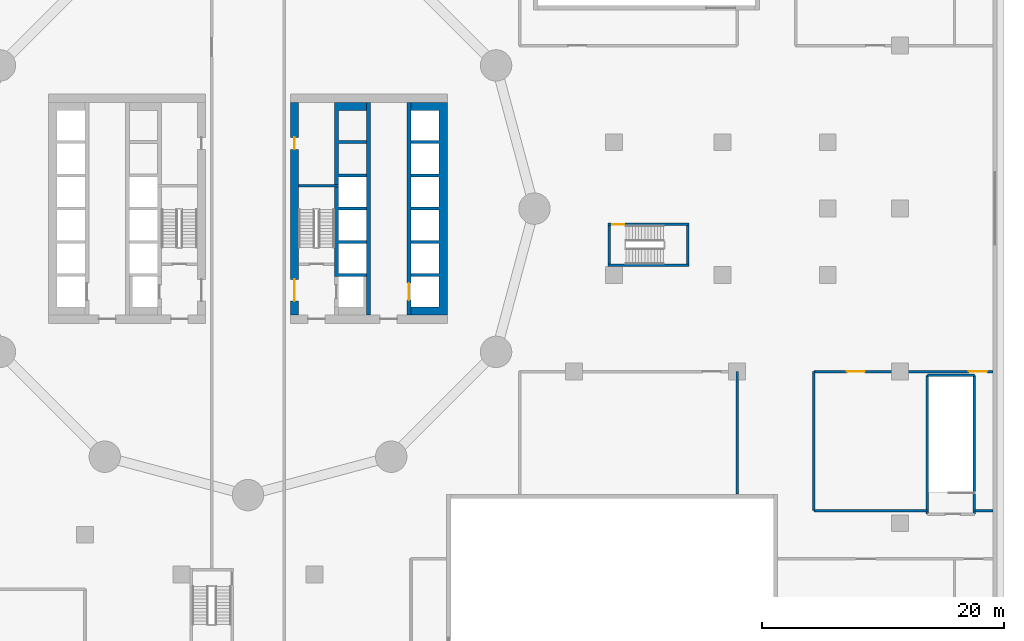
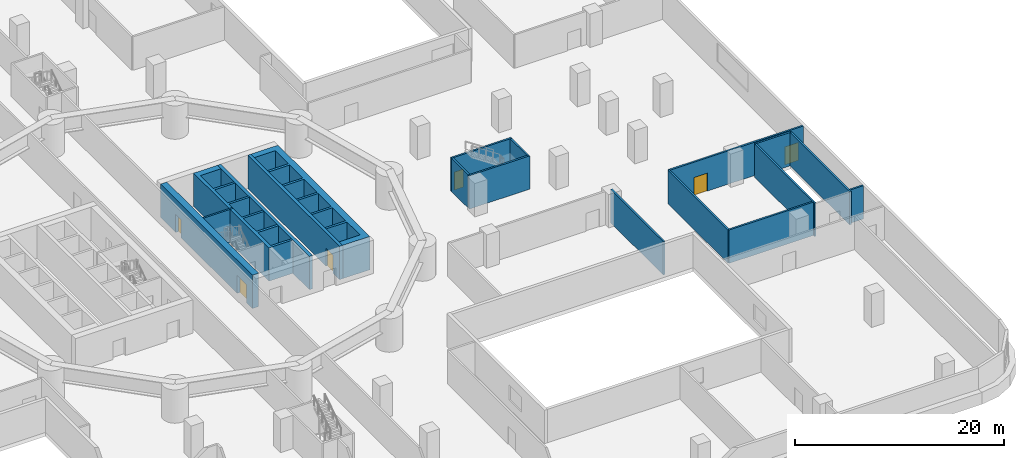
# One storey, part 7 of 16: 18 walls, 6 doors, 6 openings.
"""IFC4 building model written with IfcOpenShell, lengths in metres."""

from ifc_helpers import new_model, si_unit, direction, frame, frame_2d, origin, place, context, subcontext, project, spatial, polyline, rectangle, outline, extrude, material, layer, layer_set, type_object, element, fill, save


model = new_model("IFC4")

# Units and contexts
model_context = context("Model", 3, precision=1e-05, world=origin(), true_north=direction((0.0, 1.0)))
body_context = subcontext(model_context, "Body", "Model", "MODEL_VIEW")
ifc_project = project(units=[si_unit("LENGTHUNIT", "METRE"), si_unit("AREAUNIT", "SQUARE_METRE"), si_unit("VOLUMEUNIT", "CUBIC_METRE"), si_unit("PLANEANGLEUNIT", "RADIAN"), si_unit("MASSUNIT", "GRAM", prefix="KILO")], contexts=[model_context])

# Site, building, storey
site_placement = place(None, origin())
site = spatial("IfcSite", under=ifc_project, at=site_placement, CompositionType="ELEMENT")
building_placement = place(site_placement, origin())
building = spatial("IfcBuilding", under=site, at=building_placement, Name="Tamarind Cross Interchange Tower", CompositionType="ELEMENT")
storey_placement = place(building_placement, frame((0.0, 0.0, 25.0)))
storey = spatial("IfcBuildingStorey", under=building, at=storey_placement, Name="L04", CompositionType="ELEMENT", Elevation=25.0)

# Wall
ifc_material_1 = material(Name="Concrete C80", Category="concrete")
ifc_layer_1 = layer(ifc_material_1, 0.699951171875)
ifc_layer_set_1 = layer_set([ifc_layer_1], Name="Concrete C80")
wall_type_1 = type_object("IfcWallType", Name="Core wall 700 mm Concrete C80", PredefinedType="SHEAR", material=ifc_layer_set_1)
wall_1_placement = place(storey_placement, origin())
element("IfcWall", 1, at=wall_1_placement, inside=storey, type_object=wall_type_1, Name="Core wall CWL-L04-E-A", PredefinedType="SHEAR", context=body_context, shape_type="SweptSolid", body=[
    extrude(outline(polyline([(13.5, -8.800048828125), (15.800048828125, -8.800048828125), (16.5, -8.800048828125), (16.5, 8.800048828125), (15.800048828125, 8.800048828125), (13.5, 8.800048828125), (13.5, 8.125), (15.800048828125, 8.125), (15.800048828125, 5.625), (13.5, 5.625), (13.5, 5.375), (15.800048828125, 5.375), (15.800048828125, 2.875), (13.5, 2.875), (13.5, 2.625), (15.800048828125, 2.625), (15.800048828125, 0.125), (13.5, 0.125), (13.5, -0.125), (15.800048828125, -0.125), (15.800048828125, -2.625), (13.5, -2.625), (13.5, -2.875), (15.800048828125, -2.875), (15.800048828125, -5.375), (13.5, -5.375), (13.5, -5.625), (15.800048828125, -5.625), (15.800048828125, -8.125), (13.5, -8.125), (13.5, -8.800048828125)])), origin(), (0.0, 0.0, 1.0), 3.89990234375),
])

# Wall, openings, doors
wall_2_placement = place(storey_placement, frame((3.85009765625, -8.800048828125, 0.0), z_axis=(0.0, 0.0, 1.0), x_axis=(0.0, 1.0, 0.0)))
wall_2 = element("IfcWall", 2, at=wall_2_placement, inside=storey, type_object=wall_type_1, Name="Core wall CWL-L04-E-IN", PredefinedType="SHEAR", context=body_context, shape_type="SweptSolid", body=[
    extrude(rectangle(XDim=17.60009765625, YDim=0.699951171875, at=frame_2d((8.800048828125, 0.0))), origin(), (0.0, 0.0, 1.0), 3.89990234375),
])
opening_1_placement = place(wall_2_placement, frame((1.14990234375, 0.0, 0.0)))
opening_1 = element("IfcOpeningElement", 3, at=opening_1_placement, cuts=wall_2, Name="Opening DCE4", PredefinedType="OPENING", context=body_context, shape_type="SweptSolid", body=[
    extrude(rectangle(XDim=1.800048828125, YDim=2.10009765625, at=frame_2d((0.89990234375, 1.050048828125))), frame((0.0, 0.35986328125, 0.0), z_axis=(0.0, -1.0, 0.0), x_axis=(1.0, 0.0, 0.0)), (0.0, 0.0, 1.0), 0.719970703125),
])
opening_2_placement = place(wall_2_placement, frame((13.699951171875, 0.0, 0.0)))
opening_2 = element("IfcOpeningElement", 4, at=opening_2_placement, cuts=wall_2, Name="Opening DCE5", PredefinedType="OPENING", context=body_context, shape_type="SweptSolid", body=[
    extrude(rectangle(XDim=1.0, YDim=2.10009765625, at=frame_2d((0.5, 1.050048828125))), frame((0.0, 0.35986328125, 0.0), z_axis=(0.0, -1.0, 0.0), x_axis=(1.0, 0.0, 0.0)), (0.0, 0.0, 1.0), 0.719970703125),
])
ifc_material_2 = material(Name="Steel, fire-resisting", Category="steel")
door_type_1 = type_object("IfcDoorType", Name="Core fire door 1000 x 2100 FD90", OperationType="SINGLE_SWING_LEFT", PredefinedType="DOOR", material=ifc_material_2)
door_1_placement = place(opening_2_placement, origin())
door_1 = element("IfcDoor", 5, at=door_1_placement, inside=storey, type_object=door_type_1, Name="L04 riser room door", OperationType="SINGLE_SWING_LEFT", OverallHeight=2.10009765625, OverallWidth=1.0, PredefinedType="DOOR", context=body_context, shape_type="SweptSolid", body=[
    extrude(rectangle(XDim=1.0, YDim=2.10009765625, at=frame_2d((0.5, 1.050048828125))), frame((0.0, 0.02490234375, 0.0), z_axis=(0.0, -1.0, 0.0), x_axis=(1.0, 0.0, 0.0)), (0.0, 0.0, 1.0), 0.050048828125),
])
fill(opening_2, door_1)
door_type_2 = type_object("IfcDoorType", Name="Core fire door 1800 x 2100 FD90", OperationType="SINGLE_SWING_LEFT", PredefinedType="DOOR", material=ifc_material_2)
door_2_placement = place(opening_1_placement, origin())
door_2 = element("IfcDoor", 6, at=door_2_placement, inside=storey, type_object=door_type_2, Name="L04 firefighting lobby door", OperationType="SINGLE_SWING_LEFT", OverallHeight=2.10009765625, OverallWidth=1.800048828125, PredefinedType="DOOR", context=body_context, shape_type="SweptSolid", body=[
    extrude(rectangle(XDim=1.800048828125, YDim=2.10009765625, at=frame_2d((0.89990234375, 1.050048828125))), frame((0.0, 0.02490234375, 0.0), z_axis=(0.0, -1.0, 0.0), x_axis=(1.0, 0.0, 0.0)), (0.0, 0.0, 1.0), 0.050048828125),
])
fill(opening_1, door_2)

# Walls
ifc_layer_2 = layer(ifc_material_1, 0.199951171875)
ifc_layer_set_2 = layer_set([ifc_layer_2], Name="Concrete C80")
wall_type_2 = type_object("IfcWallType", Name="Core web wall 200 mm Concrete C80", PredefinedType="SHEAR", material=ifc_layer_set_2)
wall_3_placement = place(storey_placement, frame((7.5, 1.89990234375, 0.0), z_axis=(0.0, 0.0, 1.0), x_axis=(-1.0, 0.0, 0.0)))
element("IfcWall", 7, at=wall_3_placement, inside=storey, type_object=wall_type_2, Name="Core wall CWL-L04-E-BD", PredefinedType="SHEAR", context=body_context, shape_type="SweptSolid", body=[
    extrude(rectangle(XDim=3.300048828125, YDim=0.199951171875, at=frame_2d((1.64990234375, 0.0))), origin(), (0.0, 0.0, 1.0), 3.89990234375),
])
ifc_layer_3 = layer(ifc_material_1, 0.35009765625)
ifc_layer_set_3 = layer_set([ifc_layer_3], Name="Concrete C80")
wall_type_3 = type_object("IfcWallType", Name="Core web wall 350 mm Concrete C80", PredefinedType="SHEAR", material=ifc_layer_set_3)
wall_4_placement = place(storey_placement, origin())
element("IfcWall", 8, at=wall_4_placement, inside=storey, type_object=wall_type_3, Name="Core wall CWL-L04-E-BN", PredefinedType="SHEAR", context=body_context, shape_type="SweptSolid", body=[
    extrude(outline(polyline([(9.800048828125, -5.375), (7.5, -5.375), (7.5, -2.875), (9.800048828125, -2.875), (9.800048828125, -2.625), (7.5, -2.625), (7.5, -0.125), (9.800048828125, -0.125), (9.800048828125, 0.125), (7.5, 0.125), (7.5, 2.625), (9.800048828125, 2.625), (9.800048828125, 2.875), (7.5, 2.875), (7.5, 5.375), (9.800048828125, 5.375), (9.800048828125, 5.625), (7.5, 5.625), (7.5, 8.125), (9.800048828125, 8.125), (9.800048828125, 8.800048828125), (7.5, 8.800048828125), (7.14990234375, 8.800048828125), (7.14990234375, -5.625), (7.5, -5.625), (9.800048828125, -5.625), (9.800048828125, -5.375)])), origin(), (0.0, 0.0, 1.0), 3.89990234375),
])

# Wall, opening, door
wall_5_placement = place(storey_placement, frame((13.324951171875, -8.800048828125, 0.0), z_axis=(0.0, 0.0, 1.0), x_axis=(0.0, 1.0, 0.0)))
wall_5 = element("IfcWall", 9, at=wall_5_placement, inside=storey, type_object=wall_type_3, Name="Core wall CWL-L04-E-LA", PredefinedType="SHEAR", context=body_context, shape_type="SweptSolid", body=[
    extrude(rectangle(XDim=17.60009765625, YDim=0.35009765625, at=frame_2d((8.800048828125, 0.0))), origin(), (0.0, 0.0, 1.0), 3.89990234375),
])
opening_3_placement = place(wall_5_placement, frame((1.22509765625, 0.0, 0.0)))
opening_3 = element("IfcOpeningElement", 10, at=opening_3_placement, cuts=wall_5, Name="Opening LD13L04", PredefinedType="OPENING", context=body_context, shape_type="SweptSolid", body=[
    extrude(rectangle(XDim=1.39990234375, YDim=2.10009765625, at=frame_2d((0.699951171875, 1.050048828125))), frame((0.0, 0.18505859375, 0.0), z_axis=(0.0, -1.0, 0.0), x_axis=(1.0, 0.0, 0.0)), (0.0, 0.0, 1.0), 0.3701171875),
])
ifc_material_3 = material(Name="Stainless steel panel", Category="steel")
door_type_3 = type_object("IfcDoorType", Name="Lift landing door 1400 x 2100 E 120", OperationType="SLIDING_TO_LEFT", PredefinedType="DOOR", material=ifc_material_3)
door_3_placement = place(opening_3_placement, origin())
door_3 = element("IfcDoor", 11, at=door_3_placement, inside=storey, type_object=door_type_3, Name="L04 landing door LF13", OperationType="SLIDING_TO_LEFT", OverallHeight=2.10009765625, OverallWidth=1.39990234375, PredefinedType="DOOR", context=body_context, shape_type="SweptSolid", body=[
    extrude(rectangle(XDim=1.39990234375, YDim=2.10009765625, at=frame_2d((0.699951171875, 1.050048828125))), frame((0.0, 0.02490234375, 0.0), z_axis=(0.0, -1.0, 0.0), x_axis=(1.0, 0.0, 0.0)), (0.0, 0.0, 1.0), 0.050048828125),
])
fill(opening_3, door_3)

# Walls
wall_6_placement = place(storey_placement, frame((9.97509765625, -8.800048828125, 0.0), z_axis=(0.0, 0.0, 1.0), x_axis=(0.0, 1.0, 0.0)))
element("IfcWall", 12, at=wall_6_placement, inside=storey, type_object=wall_type_3, Name="Core wall CWL-L04-E-LB", PredefinedType="SHEAR", context=body_context, shape_type="SweptSolid", body=[
    extrude(rectangle(XDim=17.60009765625, YDim=0.35009765625, at=frame_2d((8.800048828125, 0.0))), origin(), (0.0, 0.0, 1.0), 3.89990234375),
])
ifc_material_4 = material(Name="Masonry partition, fire-rated", Category="masonry")
ifc_layer_4 = layer(ifc_material_4, 0.199951171875)
ifc_layer_set_4 = layer_set([ifc_layer_4], Name="Masonry partition, fire-rated")
wall_type_4 = type_object("IfcWallType", Name="Fire partition 200 EI 120", PredefinedType="PARTITIONING", material=ifc_layer_set_4)
wall_7_placement = place(storey_placement, frame((40.5, -23.6201171875, 0.0), z_axis=(0.0, 0.0, 1.0), x_axis=(0.0, 1.0, 0.0)))
element("IfcWall", 13, at=wall_7_placement, inside=storey, type_object=wall_type_4, Name="L04 partition 41", PredefinedType="PARTITIONING", context=body_context, shape_type="SweptSolid", body=[
    extrude(rectangle(XDim=10.1201171875, YDim=0.199951171875, at=frame_2d((5.06005859375, 0.0))), origin(), (0.0, 0.0, 1.0), 3.89990234375),
])
wall_8_placement = place(storey_placement, frame((46.85009765625, -25.0, 0.0), z_axis=(0.0, 0.0, 1.0), x_axis=(1.0, 0.0, 0.0)))
element("IfcWall", 14, at=wall_8_placement, inside=storey, type_object=wall_type_4, Name="L04 partition 52", PredefinedType="PARTITIONING", context=body_context, shape_type="SweptSolid", body=[
    extrude(rectangle(XDim=9.369873046875, YDim=0.199951171875, at=frame_2d((4.68505859375, 0.0))), origin(), (0.0, 0.0, 1.0), 3.89990234375),
])
wall_9_placement = place(storey_placement, frame((46.85009765625, -25.0, 0.0), z_axis=(0.0, 0.0, 1.0), x_axis=(0.0, 1.0, 0.0)))
element("IfcWall", 15, at=wall_9_placement, inside=storey, type_object=wall_type_4, Name="L04 partition 53", PredefinedType="PARTITIONING", context=body_context, shape_type="SweptSolid", body=[
    extrude(rectangle(XDim=11.5, YDim=0.199951171875, at=frame_2d((5.75, 0.0))), origin(), (0.0, 0.0, 1.0), 3.89990234375),
])

# Wall, openings, doors
wall_10_placement = place(storey_placement, frame((46.85009765625, -13.5, 0.0), z_axis=(0.0, 0.0, 1.0), x_axis=(1.0, 0.0, 0.0)))
wall_10 = element("IfcWall", 16, at=wall_10_placement, inside=storey, type_object=wall_type_4, Name="L04 partition 54", PredefinedType="PARTITIONING", context=body_context, shape_type="SweptSolid", body=[
    extrude(rectangle(XDim=14.848876953125, YDim=0.199951171875, at=frame_2d((7.42431640625, 0.0))), origin(), (0.0, 0.0, 1.0), 3.89990234375),
])
opening_4_placement = place(wall_10_placement, frame((12.85009765625, 0.0, 0.0)))
opening_4 = element("IfcOpeningElement", 17, at=opening_4_placement, cuts=wall_10, Name="Opening DL04-22", PredefinedType="OPENING", context=body_context, shape_type="SweptSolid", body=[
    extrude(rectangle(XDim=1.5, YDim=2.10009765625, at=frame_2d((0.75, 1.050048828125))), frame((0.0, 0.10986328125, 0.0), z_axis=(0.0, -1.0, 0.0), x_axis=(1.0, 0.0, 0.0)), (0.0, 0.0, 1.0), 0.219970703125),
])
opening_5_placement = place(wall_10_placement, frame((2.73095703125, 0.0, 0.0)))
opening_5 = element("IfcOpeningElement", 18, at=opening_5_placement, cuts=wall_10, Name="Opening DL04-27", PredefinedType="OPENING", context=body_context, shape_type="SweptSolid", body=[
    extrude(rectangle(XDim=1.5, YDim=2.10009765625, at=frame_2d((0.75, 1.050048828125))), frame((0.0, 0.10986328125, 0.0), z_axis=(0.0, -1.0, 0.0), x_axis=(1.0, 0.0, 0.0)), (0.0, 0.0, 1.0), 0.219970703125),
])
door_type_4 = type_object("IfcDoorType", Name="Podium door 1500 x 2100 FD90", OperationType="SINGLE_SWING_LEFT", PredefinedType="DOOR", material=ifc_material_2)
door_4_placement = place(opening_4_placement, origin())
door_4 = element("IfcDoor", 19, at=door_4_placement, inside=storey, type_object=door_type_4, Name="L04 door Smoke Extract Plant Room 0422", OperationType="SINGLE_SWING_RIGHT", OverallHeight=2.10009765625, OverallWidth=1.5, PredefinedType="DOOR", context=body_context, shape_type="SweptSolid", body=[
    extrude(rectangle(XDim=1.5, YDim=2.10009765625, at=frame_2d((0.75, 1.050048828125))), frame((0.0, 0.02490234375, 0.0), z_axis=(0.0, -1.0, 0.0), x_axis=(1.0, 0.0, 0.0)), (0.0, 0.0, 1.0), 0.050048828125),
])
fill(opening_4, door_4)
door_5_placement = place(opening_5_placement, origin())
door_5 = element("IfcDoor", 20, at=door_5_placement, inside=storey, type_object=door_type_4, Name="L04 door Transformer Room 0421", OperationType="SINGLE_SWING_LEFT", OverallHeight=2.10009765625, OverallWidth=1.5, PredefinedType="DOOR", context=body_context, shape_type="SweptSolid", body=[
    extrude(rectangle(XDim=1.5, YDim=2.10009765625, at=frame_2d((0.75, 1.050048828125))), frame((0.0, 0.02490234375, 0.0), z_axis=(0.0, -1.0, 0.0), x_axis=(1.0, 0.0, 0.0)), (0.0, 0.0, 1.0), 0.050048828125),
])
fill(opening_5, door_5)

# Walls
wall_11_placement = place(storey_placement, frame((60.179931640625, -25.0, 0.0), z_axis=(0.0, 0.0, 1.0), x_axis=(1.0, 0.0, 0.0)))
element("IfcWall", 21, at=wall_11_placement, inside=storey, type_object=wall_type_4, Name="L04 partition 60", PredefinedType="PARTITIONING", context=body_context, shape_type="SweptSolid", body=[
    extrude(rectangle(XDim=1.51904296875, YDim=0.199951171875, at=frame_2d((0.759521484375, 0.0))), origin(), (0.0, 0.0, 1.0), 3.89990234375),
])
ifc_material_5 = material(Name="Concrete C40", Category="concrete")
ifc_layer_5 = layer(ifc_material_5, 0.199951171875)
ifc_layer_set_5 = layer_set([ifc_layer_5], Name="Concrete C40")
wall_type_5 = type_object("IfcWallType", Name="Stair shaft wall 200 EI 180", PredefinedType="PARTITIONING", material=ifc_layer_set_5)
wall_12_placement = place(storey_placement, frame((56.25, -25.300048828125, 0.0), z_axis=(0.0, 0.0, 1.0), x_axis=(0.0, 1.0, 0.0)))
element("IfcWall", 22, at=wall_12_placement, inside=storey, type_object=wall_type_5, Name="L04 stair shaft wall 1", PredefinedType="PARTITIONING", context=body_context, shape_type="SweptSolid", body=[
    extrude(rectangle(XDim=11.5, YDim=0.199951171875, at=frame_2d((5.75, 0.0))), origin(), (0.0, 0.0, 1.0), 3.89990234375),
])
wall_13_placement = place(storey_placement, frame((56.25, -13.800048828125, 0.0), z_axis=(0.0, 0.0, 1.0), x_axis=(1.0, 0.0, 0.0)))
element("IfcWall", 23, at=wall_13_placement, inside=storey, type_object=wall_type_5, Name="L04 stair shaft wall 2", PredefinedType="PARTITIONING", context=body_context, shape_type="SweptSolid", body=[
    extrude(rectangle(XDim=3.89990234375, YDim=0.199951171875, at=frame_2d((1.949951171875, 0.0))), origin(), (0.0, 0.0, 1.0), 3.89990234375),
])
wall_14_placement = place(storey_placement, frame((60.14990234375, -25.300048828125, 0.0), z_axis=(0.0, 0.0, 1.0), x_axis=(0.0, 1.0, 0.0)))
element("IfcWall", 24, at=wall_14_placement, inside=storey, type_object=wall_type_5, Name="L04 stair shaft wall 3", PredefinedType="PARTITIONING", context=body_context, shape_type="SweptSolid", body=[
    extrude(rectangle(XDim=11.5, YDim=0.199951171875, at=frame_2d((5.75, 0.0))), origin(), (0.0, 0.0, 1.0), 3.89990234375),
])

# Wall, opening, door
ifc_layer_6 = layer(ifc_material_5, 0.199951171875)
ifc_layer_set_6 = layer_set([ifc_layer_6], Name="Concrete C40")
wall_type_6 = type_object("IfcWallType", Name="Stair shaft wall 200 mm Concrete C40", PredefinedType="SHEAR", material=ifc_layer_set_6)
wall_15_placement = place(storey_placement, frame((29.800048828125, -1.300048828125, 0.0), z_axis=(0.0, 0.0, 1.0), x_axis=(1.0, 0.0, 0.0)))
wall_15 = element("IfcWall", 25, at=wall_15_placement, inside=storey, type_object=wall_type_6, Name="Core wall CWL-L04-ST3-H", PredefinedType="SHEAR", context=body_context, shape_type="SweptSolid", body=[
    extrude(rectangle(XDim=6.699951171875, YDim=0.199951171875, at=frame_2d((3.35009765625, 0.0))), origin(), (0.0, 0.0, 1.0), 3.89990234375),
])
opening_6_placement = place(wall_15_placement, frame((0.35009765625, 0.0, 0.0)))
opening_6 = element("IfcOpeningElement", 26, at=opening_6_placement, cuts=wall_15, Name="Opening ST3L04", PredefinedType="OPENING", context=body_context, shape_type="SweptSolid", body=[
    extrude(rectangle(XDim=1.0, YDim=2.10009765625, at=frame_2d((0.5, 1.050048828125))), frame((0.0, 0.10986328125, 0.0), z_axis=(0.0, -1.0, 0.0), x_axis=(1.0, 0.0, 0.0)), (0.0, 0.0, 1.0), 0.219970703125),
])
door_6_placement = place(opening_6_placement, origin())
door_6 = element("IfcDoor", 27, at=door_6_placement, inside=storey, type_object=door_type_1, Name="L04 stair door ST3", OperationType="SINGLE_SWING_LEFT", OverallHeight=2.10009765625, OverallWidth=1.0, PredefinedType="DOOR", context=body_context, shape_type="SweptSolid", body=[
    extrude(rectangle(XDim=1.0, YDim=2.10009765625, at=frame_2d((0.5, 1.050048828125))), frame((0.0, 0.02490234375, 0.0), z_axis=(0.0, -1.0, 0.0), x_axis=(1.0, 0.0, 0.0)), (0.0, 0.0, 1.0), 0.050048828125),
])
fill(opening_6, door_6)

# Walls
wall_16_placement = place(storey_placement, frame((29.800048828125, -4.699951171875, 0.0), z_axis=(0.0, 0.0, 1.0), x_axis=(1.0, 0.0, 0.0)))
element("IfcWall", 28, at=wall_16_placement, inside=storey, type_object=wall_type_6, Name="Core wall CWL-L04-ST3-C", PredefinedType="SHEAR", context=body_context, shape_type="SweptSolid", body=[
    extrude(rectangle(XDim=6.699951171875, YDim=0.199951171875, at=frame_2d((3.35009765625, 0.0))), origin(), (0.0, 0.0, 1.0), 3.89990234375),
])
wall_17_placement = place(storey_placement, frame((29.89990234375, -4.60009765625, 0.0), z_axis=(0.0, 0.0, 1.0), x_axis=(0.0, 1.0, 0.0)))
element("IfcWall", 29, at=wall_17_placement, inside=storey, type_object=wall_type_6, Name="Core wall CWL-L04-ST3-CE", PredefinedType="SHEAR", context=body_context, shape_type="SweptSolid", body=[
    extrude(rectangle(XDim=3.2001953125, YDim=0.199951171875, at=frame_2d((1.60009765625, 0.0))), origin(), (0.0, 0.0, 1.0), 3.89990234375),
])
wall_18_placement = place(storey_placement, origin())
element("IfcWall", 30, at=wall_18_placement, inside=storey, type_object=wall_type_6, Name="Core wall CWL-L04-ST3-CF", PredefinedType="SHEAR", context=body_context, shape_type="SweptSolid", body=[
    extrude(outline(polyline([(36.300048828125, -4.60009765625), (36.5, -4.60009765625), (36.5, -1.39990234375), (36.300048828125, -1.39990234375), (36.300048828125, -4.60009765625)])), origin(), (0.0, 0.0, 1.0), 3.89990234375),
])

save(model, "model.ifc")
